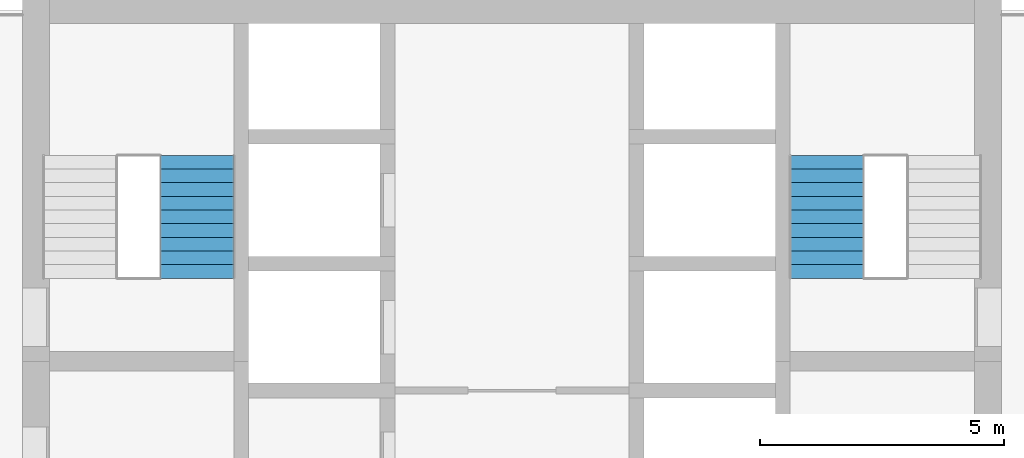
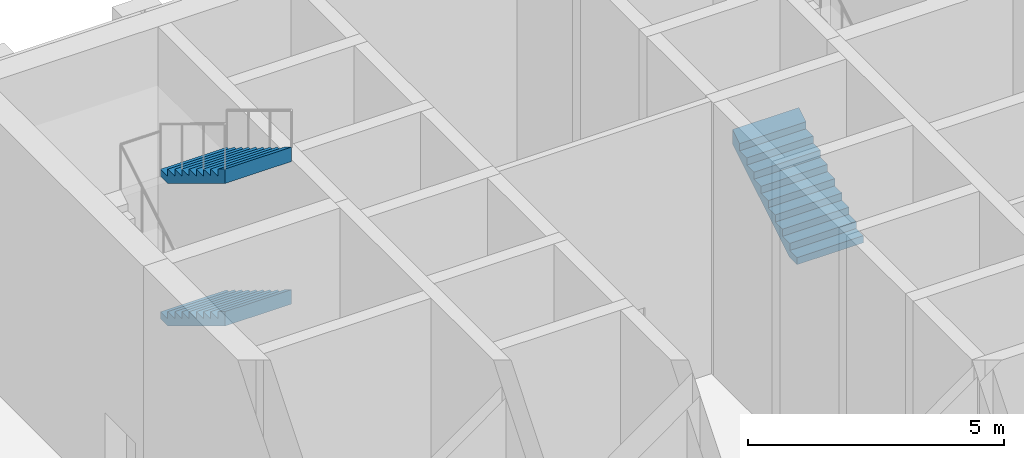
# One storey, part 6 of 10: 3 stair flights, 2 elements without a shape of their own.
"""IFC4 building model written with IfcOpenShell, lengths in metres."""

from ifc_helpers import new_model, si_unit, direction, frame, origin, place, context, subcontext, project, spatial, triangles, material, type_object, element, aggregate, save


model = new_model("IFC4")

# Units and contexts
model_context = context("Model", 3, precision=1e-05, world=origin(), true_north=direction((0.0, 1.0)))
body_context = subcontext(model_context, "Body", "Model", "MODEL_VIEW")
ifc_project = project(units=[si_unit("LENGTHUNIT", "METRE"), si_unit("AREAUNIT", "SQUARE_METRE"), si_unit("VOLUMEUNIT", "CUBIC_METRE"), si_unit("PLANEANGLEUNIT", "RADIAN"), si_unit("MASSUNIT", "GRAM", prefix="KILO")], contexts=[model_context])

# Site, building, storey
site_placement = place(None, origin())
site = spatial("IfcSite", under=ifc_project, at=site_placement, CompositionType="ELEMENT")
building_placement = place(site_placement, origin())
building = spatial("IfcBuilding", under=site, at=building_placement, Name="Ludao Terraces", CompositionType="ELEMENT")
storey_placement = place(building_placement, frame((0.0, 0.0, 172.39990234375)))
storey = spatial("IfcBuildingStorey", under=building, at=storey_placement, Name="L47", CompositionType="ELEMENT", Elevation=172.39990234375)

# Stair, stair flights
ifc_material = material(Name="Concrete C40", Category="concrete")
stair_type = type_object("IfcStairType", Name="INT Stair", PredefinedType="HALF_TURN_STAIR", material=ifc_material)
stair_1_placement = place(storey_placement, origin())
stair_1 = element("IfcStair", 1, at=stair_1_placement, inside=storey, type_object=stair_type, Name="EXIT STAIR 1", PredefinedType="HALF_TURN_STAIR")
stair_flight_type = type_object("IfcStairFlightType", Name="INT Stair flight", PredefinedType="STRAIGHT", material=ifc_material)
stair_flight_1_placement = place(storey_placement, frame((78.550048828125, 81.52001953125, 1.7001953125), z_axis=(0.0, 0.0, 1.0), x_axis=(0.0, -1.0, 0.0)))
stair_flight_1 = element("IfcStairFlight", 2, at=stair_flight_1_placement, type_object=stair_flight_type, Name="ST1 flight 2", NumberOfRisers=10, NumberOfTreads=9, PredefinedType="STRAIGHT", RiserHeight=0.17, TreadLength=0.28, context=body_context, shape_type="Tessellation", body=[
    triangles([(0.0, -0.75, 0.0), (0.0, -0.5, 0.0), (0.0, -0.25, 0.0), (0.0, 0.0, 0.0), (0.0, 0.25, 0.0), (0.0, 0.5, 0.0), (0.0, 0.75, 0.0), (0.0, -0.75, 0.169921875), (0.0, -0.5, 0.169921875), (0.0, -0.25, 0.169921875), (0.0, 0.0, 0.169921875), (0.0, 0.25, 0.169921875), (0.0, 0.5, 0.169921875), (0.0, 0.75, 0.169921875), (0.280029296875, -0.75, 0.169921875), (0.280029296875, -0.5, 0.169921875), (0.280029296875, -0.25, 0.169921875), (0.280029296875, 0.0, 0.169921875), (0.280029296875, 0.25, 0.169921875), (0.280029296875, 0.5, 0.169921875), (0.280029296875, 0.75, 0.169921875), (0.280029296875, -0.75, 0.340087890625), (0.280029296875, -0.5, 0.340087890625), (0.280029296875, -0.25, 0.340087890625), (0.280029296875, 0.0, 0.340087890625), (0.280029296875, 0.25, 0.340087890625), (0.280029296875, 0.5, 0.340087890625), (0.280029296875, 0.75, 0.340087890625), (0.56005859375, -0.75, 0.340087890625), (0.56005859375, -0.5, 0.340087890625), (0.56005859375, -0.25, 0.340087890625), (0.56005859375, 0.0, 0.340087890625), (0.56005859375, 0.25, 0.340087890625), (0.56005859375, 0.5, 0.340087890625), (0.56005859375, 0.75, 0.340087890625), (0.56005859375, -0.75, 0.510009765625), (0.56005859375, -0.5, 0.510009765625), (0.56005859375, -0.25, 0.510009765625), (0.56005859375, 0.0, 0.510009765625), (0.56005859375, 0.25, 0.510009765625), (0.56005859375, 0.5, 0.510009765625), (0.56005859375, 0.75, 0.510009765625), (0.840087890625, -0.75, 0.510009765625), (0.840087890625, -0.5, 0.510009765625), (0.840087890625, -0.25, 0.510009765625), (0.840087890625, 0.0, 0.510009765625), (0.840087890625, 0.25, 0.510009765625), (0.840087890625, 0.5, 0.510009765625), (0.840087890625, 0.75, 0.510009765625), (0.840087890625, -0.75, 0.679931640625), (0.840087890625, -0.5, 0.679931640625), (0.840087890625, -0.25, 0.679931640625), (0.840087890625, 0.0, 0.679931640625), (0.840087890625, 0.25, 0.679931640625), (0.840087890625, 0.5, 0.679931640625), (0.840087890625, 0.75, 0.679931640625), (1.1201171875, -0.75, 0.679931640625), (1.1201171875, -0.5, 0.679931640625), (1.1201171875, -0.25, 0.679931640625), (1.1201171875, 0.0, 0.679931640625), (1.1201171875, 0.25, 0.679931640625), (1.1201171875, 0.5, 0.679931640625), (1.1201171875, 0.75, 0.679931640625), (1.1201171875, -0.75, 0.85009765625), (1.1201171875, -0.5, 0.85009765625), (1.1201171875, -0.25, 0.85009765625), (1.1201171875, 0.0, 0.85009765625), (1.1201171875, 0.25, 0.85009765625), (1.1201171875, 0.5, 0.85009765625), (1.1201171875, 0.75, 0.85009765625), (1.39990234375, -0.75, 0.85009765625), (1.39990234375, -0.5, 0.85009765625), (1.39990234375, -0.25, 0.85009765625), (1.39990234375, 0.0, 0.85009765625), (1.39990234375, 0.25, 0.85009765625), (1.39990234375, 0.5, 0.85009765625), (1.39990234375, 0.75, 0.85009765625), (1.39990234375, -0.75, 1.02001953125), (1.39990234375, -0.5, 1.02001953125), (1.39990234375, -0.25, 1.02001953125), (1.39990234375, 0.0, 1.02001953125), (1.39990234375, 0.25, 1.02001953125), (1.39990234375, 0.5, 1.02001953125), (1.39990234375, 0.75, 1.02001953125), (1.679931640625, -0.75, 1.02001953125), (1.679931640625, -0.5, 1.02001953125), (1.679931640625, -0.25, 1.02001953125), (1.679931640625, 0.0, 1.02001953125), (1.679931640625, 0.25, 1.02001953125), (1.679931640625, 0.5, 1.02001953125), (1.679931640625, 0.75, 1.02001953125), (1.679931640625, -0.75, 1.18994140625), (1.679931640625, -0.5, 1.18994140625), (1.679931640625, -0.25, 1.18994140625), (1.679931640625, 0.0, 1.18994140625), (1.679931640625, 0.25, 1.18994140625), (1.679931640625, 0.5, 1.18994140625), (1.679931640625, 0.75, 1.18994140625), (1.9599609375, -0.75, 1.18994140625), (1.9599609375, -0.5, 1.18994140625), (1.9599609375, -0.25, 1.18994140625), (1.9599609375, 0.0, 1.18994140625), (1.9599609375, 0.25, 1.18994140625), (1.9599609375, 0.5, 1.18994140625), (1.9599609375, 0.75, 1.18994140625), (1.9599609375, -0.75, 1.360107421875), (1.9599609375, -0.5, 1.360107421875), (1.9599609375, -0.25, 1.360107421875), (1.9599609375, 0.0, 1.360107421875), (1.9599609375, 0.25, 1.360107421875), (1.9599609375, 0.5, 1.360107421875), (1.9599609375, 0.75, 1.360107421875), (2.239990234375, -0.75, 1.360107421875), (2.239990234375, -0.5, 1.360107421875), (2.239990234375, -0.25, 1.360107421875), (2.239990234375, 0.0, 1.360107421875), (2.239990234375, 0.25, 1.360107421875), (2.239990234375, 0.5, 1.360107421875), (2.239990234375, 0.75, 1.360107421875), (2.239990234375, -0.75, 1.530029296875), (2.239990234375, -0.5, 1.530029296875), (2.239990234375, -0.25, 1.530029296875), (2.239990234375, 0.0, 1.530029296875), (2.239990234375, 0.25, 1.530029296875), (2.239990234375, 0.5, 1.530029296875), (2.239990234375, 0.75, 1.530029296875), (2.52001953125, -0.75, 1.699951171875), (2.52001953125, -0.5, 1.699951171875), (2.52001953125, -0.25, 1.699951171875), (2.52001953125, 0.0, 1.699951171875), (2.52001953125, 0.25, 1.699951171875), (2.52001953125, 0.5, 1.699951171875), (2.52001953125, 0.75, 1.699951171875), (2.52001953125, -0.75, 1.354736328125), (2.52001953125, -0.5, 1.354736328125), (2.52001953125, -0.25, 1.354736328125), (2.52001953125, 0.0, 1.354736328125), (2.52001953125, 0.25, 1.354736328125), (2.52001953125, 0.5, 1.354736328125), (2.52001953125, 0.75, 1.354736328125), (0.288818359375, -0.75, 0.0), (0.288818359375, -0.5, 0.0), (0.288818359375, -0.25, 0.0), (0.288818359375, 0.0, 0.0), (0.288818359375, 0.25, 0.0), (0.288818359375, 0.5, 0.0), (0.288818359375, 0.75, 0.0)], [[1, 141, 134], [7, 140, 147], [134, 127, 120], [140, 126, 133], [134, 120, 113], [140, 119, 126], [134, 113, 106], [140, 112, 119], [134, 106, 99], [140, 105, 112], [99, 92, 85], [105, 91, 98], [134, 99, 85], [140, 91, 105], [85, 78, 71], [91, 77, 84], [134, 85, 71], [140, 77, 91], [71, 64, 57], [77, 63, 70], [134, 71, 57], [140, 63, 77], [57, 50, 43], [63, 49, 56], [134, 57, 43], [140, 49, 63], [43, 36, 29], [49, 35, 42], [134, 43, 29], [140, 35, 49], [29, 22, 15], [35, 21, 28], [134, 29, 15], [140, 21, 35], [1, 134, 15], [7, 21, 140], [15, 8, 1], [21, 7, 14], [1, 9, 2], [1, 8, 9], [2, 10, 3], [2, 9, 10], [3, 11, 4], [3, 10, 11], [4, 12, 5], [4, 11, 12], [5, 13, 6], [5, 12, 13], [6, 14, 7], [6, 13, 14], [8, 16, 9], [8, 15, 16], [9, 17, 10], [9, 16, 17], [10, 18, 11], [10, 17, 18], [11, 19, 12], [11, 18, 19], [12, 20, 13], [12, 19, 20], [13, 21, 14], [13, 20, 21], [15, 23, 16], [15, 22, 23], [16, 24, 17], [16, 23, 24], [17, 25, 18], [17, 24, 25], [18, 26, 19], [18, 25, 26], [19, 27, 20], [19, 26, 27], [20, 28, 21], [20, 27, 28], [22, 30, 23], [22, 29, 30], [23, 31, 24], [23, 30, 31], [24, 32, 25], [24, 31, 32], [25, 33, 26], [25, 32, 33], [26, 34, 27], [26, 33, 34], [27, 35, 28], [27, 34, 35], [29, 37, 30], [29, 36, 37], [30, 38, 31], [30, 37, 38], [31, 39, 32], [31, 38, 39], [32, 40, 33], [32, 39, 40], [33, 41, 34], [33, 40, 41], [34, 42, 35], [34, 41, 42], [36, 44, 37], [36, 43, 44], [37, 45, 38], [37, 44, 45], [38, 46, 39], [38, 45, 46], [39, 47, 40], [39, 46, 47], [40, 48, 41], [40, 47, 48], [41, 49, 42], [41, 48, 49], [43, 51, 44], [43, 50, 51], [44, 52, 45], [44, 51, 52], [45, 53, 46], [45, 52, 53], [46, 54, 47], [46, 53, 54], [47, 55, 48], [47, 54, 55], [48, 56, 49], [48, 55, 56], [50, 58, 51], [50, 57, 58], [51, 59, 52], [51, 58, 59], [52, 60, 53], [52, 59, 60], [53, 61, 54], [53, 60, 61], [54, 62, 55], [54, 61, 62], [55, 63, 56], [55, 62, 63], [57, 65, 58], [57, 64, 65], [58, 66, 59], [58, 65, 66], [59, 67, 60], [59, 66, 67], [60, 68, 61], [60, 67, 68], [61, 69, 62], [61, 68, 69], [62, 70, 63], [62, 69, 70], [64, 72, 65], [64, 71, 72], [65, 73, 66], [65, 72, 73], [66, 74, 67], [66, 73, 74], [67, 75, 68], [67, 74, 75], [68, 76, 69], [68, 75, 76], [69, 77, 70], [69, 76, 77], [71, 79, 72], [71, 78, 79], [72, 80, 73], [72, 79, 80], [73, 81, 74], [73, 80, 81], [74, 82, 75], [74, 81, 82], [75, 83, 76], [75, 82, 83], [76, 84, 77], [76, 83, 84], [78, 86, 79], [78, 85, 86], [79, 87, 80], [79, 86, 87], [80, 88, 81], [80, 87, 88], [81, 89, 82], [81, 88, 89], [82, 90, 83], [82, 89, 90], [83, 91, 84], [83, 90, 91], [85, 93, 86], [85, 92, 93], [86, 94, 87], [86, 93, 94], [87, 95, 88], [87, 94, 95], [88, 96, 89], [88, 95, 96], [89, 97, 90], [89, 96, 97], [90, 98, 91], [90, 97, 98], [92, 100, 93], [92, 99, 100], [93, 101, 94], [93, 100, 101], [94, 102, 95], [94, 101, 102], [95, 103, 96], [95, 102, 103], [96, 104, 97], [96, 103, 104], [97, 105, 98], [97, 104, 105], [99, 107, 100], [99, 106, 107], [100, 108, 101], [100, 107, 108], [101, 109, 102], [101, 108, 109], [102, 110, 103], [102, 109, 110], [103, 111, 104], [103, 110, 111], [104, 112, 105], [104, 111, 112], [106, 114, 107], [106, 113, 114], [107, 115, 108], [107, 114, 115], [108, 116, 109], [108, 115, 116], [109, 117, 110], [109, 116, 117], [110, 118, 111], [110, 117, 118], [111, 119, 112], [111, 118, 119], [113, 121, 114], [113, 120, 121], [114, 122, 115], [114, 121, 122], [115, 123, 116], [115, 122, 123], [116, 124, 117], [116, 123, 124], [117, 125, 118], [117, 124, 125], [118, 126, 119], [118, 125, 126], [120, 128, 121], [120, 127, 128], [121, 129, 122], [121, 128, 129], [122, 130, 123], [122, 129, 130], [123, 131, 124], [123, 130, 131], [124, 132, 125], [124, 131, 132], [125, 133, 126], [125, 132, 133], [127, 135, 128], [127, 134, 135], [128, 136, 129], [128, 135, 136], [129, 137, 130], [129, 136, 137], [130, 138, 131], [130, 137, 138], [131, 139, 132], [131, 138, 139], [132, 140, 133], [132, 139, 140], [134, 142, 135], [134, 141, 142], [135, 143, 136], [135, 142, 143], [136, 144, 137], [136, 143, 144], [137, 145, 138], [137, 144, 145], [138, 146, 139], [138, 145, 146], [139, 147, 140], [139, 146, 147], [141, 2, 142], [141, 1, 2], [142, 3, 143], [142, 2, 3], [143, 4, 144], [143, 3, 4], [144, 5, 145], [144, 4, 5], [145, 6, 146], [145, 5, 6], [146, 7, 147], [146, 6, 7]], closed=True),
])
stair_flight_2_placement = place(storey_placement, frame((78.550048828125, 81.52001953125, 5.10009765625), z_axis=(0.0, 0.0, 1.0), x_axis=(0.0, -1.0, 0.0)))
stair_flight_2 = element("IfcStairFlight", 3, at=stair_flight_2_placement, type_object=stair_flight_type, Name="ST1 flight 4", NumberOfRisers=10, NumberOfTreads=9, PredefinedType="STRAIGHT", RiserHeight=0.17, TreadLength=0.28, context=body_context, shape_type="Tessellation", body=[
    triangles([(0.0, -0.75, 0.0), (0.0, -0.5, 0.0), (0.0, -0.25, 0.0), (0.0, 0.0, 0.0), (0.0, 0.25, 0.0), (0.0, 0.5, 0.0), (0.0, 0.75, 0.0), (0.0, -0.75, 0.169921875), (0.0, -0.5, 0.169921875), (0.0, -0.25, 0.169921875), (0.0, 0.0, 0.169921875), (0.0, 0.25, 0.169921875), (0.0, 0.5, 0.169921875), (0.0, 0.75, 0.169921875), (0.280029296875, -0.75, 0.169921875), (0.280029296875, -0.5, 0.169921875), (0.280029296875, -0.25, 0.169921875), (0.280029296875, 0.0, 0.169921875), (0.280029296875, 0.25, 0.169921875), (0.280029296875, 0.5, 0.169921875), (0.280029296875, 0.75, 0.169921875), (0.280029296875, -0.75, 0.340087890625), (0.280029296875, -0.5, 0.340087890625), (0.280029296875, -0.25, 0.340087890625), (0.280029296875, 0.0, 0.340087890625), (0.280029296875, 0.25, 0.340087890625), (0.280029296875, 0.5, 0.340087890625), (0.280029296875, 0.75, 0.340087890625), (0.56005859375, -0.75, 0.340087890625), (0.56005859375, -0.5, 0.340087890625), (0.56005859375, -0.25, 0.340087890625), (0.56005859375, 0.0, 0.340087890625), (0.56005859375, 0.25, 0.340087890625), (0.56005859375, 0.5, 0.340087890625), (0.56005859375, 0.75, 0.340087890625), (0.56005859375, -0.75, 0.510009765625), (0.56005859375, -0.5, 0.510009765625), (0.56005859375, -0.25, 0.510009765625), (0.56005859375, 0.0, 0.510009765625), (0.56005859375, 0.25, 0.510009765625), (0.56005859375, 0.5, 0.510009765625), (0.56005859375, 0.75, 0.510009765625), (0.840087890625, -0.75, 0.510009765625), (0.840087890625, -0.5, 0.510009765625), (0.840087890625, -0.25, 0.510009765625), (0.840087890625, 0.0, 0.510009765625), (0.840087890625, 0.25, 0.510009765625), (0.840087890625, 0.5, 0.510009765625), (0.840087890625, 0.75, 0.510009765625), (0.840087890625, -0.75, 0.679931640625), (0.840087890625, -0.5, 0.679931640625), (0.840087890625, -0.25, 0.679931640625), (0.840087890625, 0.0, 0.679931640625), (0.840087890625, 0.25, 0.679931640625), (0.840087890625, 0.5, 0.679931640625), (0.840087890625, 0.75, 0.679931640625), (1.1201171875, -0.75, 0.679931640625), (1.1201171875, -0.5, 0.679931640625), (1.1201171875, -0.25, 0.679931640625), (1.1201171875, 0.0, 0.679931640625), (1.1201171875, 0.25, 0.679931640625), (1.1201171875, 0.5, 0.679931640625), (1.1201171875, 0.75, 0.679931640625), (1.1201171875, -0.75, 0.85009765625), (1.1201171875, -0.5, 0.85009765625), (1.1201171875, -0.25, 0.85009765625), (1.1201171875, 0.0, 0.85009765625), (1.1201171875, 0.25, 0.85009765625), (1.1201171875, 0.5, 0.85009765625), (1.1201171875, 0.75, 0.85009765625), (1.39990234375, -0.75, 0.85009765625), (1.39990234375, -0.5, 0.85009765625), (1.39990234375, -0.25, 0.85009765625), (1.39990234375, 0.0, 0.85009765625), (1.39990234375, 0.25, 0.85009765625), (1.39990234375, 0.5, 0.85009765625), (1.39990234375, 0.75, 0.85009765625), (1.39990234375, -0.75, 1.02001953125), (1.39990234375, -0.5, 1.02001953125), (1.39990234375, -0.25, 1.02001953125), (1.39990234375, 0.0, 1.02001953125), (1.39990234375, 0.25, 1.02001953125), (1.39990234375, 0.5, 1.02001953125), (1.39990234375, 0.75, 1.02001953125), (1.679931640625, -0.75, 1.02001953125), (1.679931640625, -0.5, 1.02001953125), (1.679931640625, -0.25, 1.02001953125), (1.679931640625, 0.0, 1.02001953125), (1.679931640625, 0.25, 1.02001953125), (1.679931640625, 0.5, 1.02001953125), (1.679931640625, 0.75, 1.02001953125), (1.679931640625, -0.75, 1.18994140625), (1.679931640625, -0.5, 1.18994140625), (1.679931640625, -0.25, 1.18994140625), (1.679931640625, 0.0, 1.18994140625), (1.679931640625, 0.25, 1.18994140625), (1.679931640625, 0.5, 1.18994140625), (1.679931640625, 0.75, 1.18994140625), (1.9599609375, -0.75, 1.18994140625), (1.9599609375, -0.5, 1.18994140625), (1.9599609375, -0.25, 1.18994140625), (1.9599609375, 0.0, 1.18994140625), (1.9599609375, 0.25, 1.18994140625), (1.9599609375, 0.5, 1.18994140625), (1.9599609375, 0.75, 1.18994140625), (1.9599609375, -0.75, 1.360107421875), (1.9599609375, -0.5, 1.360107421875), (1.9599609375, -0.25, 1.360107421875), (1.9599609375, 0.0, 1.360107421875), (1.9599609375, 0.25, 1.360107421875), (1.9599609375, 0.5, 1.360107421875), (1.9599609375, 0.75, 1.360107421875), (2.239990234375, -0.75, 1.360107421875), (2.239990234375, -0.5, 1.360107421875), (2.239990234375, -0.25, 1.360107421875), (2.239990234375, 0.0, 1.360107421875), (2.239990234375, 0.25, 1.360107421875), (2.239990234375, 0.5, 1.360107421875), (2.239990234375, 0.75, 1.360107421875), (2.239990234375, -0.75, 1.530029296875), (2.239990234375, -0.5, 1.530029296875), (2.239990234375, -0.25, 1.530029296875), (2.239990234375, 0.0, 1.530029296875), (2.239990234375, 0.25, 1.530029296875), (2.239990234375, 0.5, 1.530029296875), (2.239990234375, 0.75, 1.530029296875), (2.52001953125, -0.75, 1.699951171875), (2.52001953125, -0.5, 1.699951171875), (2.52001953125, -0.25, 1.699951171875), (2.52001953125, 0.0, 1.699951171875), (2.52001953125, 0.25, 1.699951171875), (2.52001953125, 0.5, 1.699951171875), (2.52001953125, 0.75, 1.699951171875), (2.52001953125, -0.75, 1.354736328125), (2.52001953125, -0.5, 1.354736328125), (2.52001953125, -0.25, 1.354736328125), (2.52001953125, 0.0, 1.354736328125), (2.52001953125, 0.25, 1.354736328125), (2.52001953125, 0.5, 1.354736328125), (2.52001953125, 0.75, 1.354736328125), (0.288818359375, -0.75, 0.0), (0.288818359375, -0.5, 0.0), (0.288818359375, -0.25, 0.0), (0.288818359375, 0.0, 0.0), (0.288818359375, 0.25, 0.0), (0.288818359375, 0.5, 0.0), (0.288818359375, 0.75, 0.0)], [[1, 141, 134], [7, 140, 147], [134, 127, 120], [140, 126, 133], [134, 120, 113], [140, 119, 126], [134, 113, 106], [140, 112, 119], [134, 106, 99], [140, 105, 112], [99, 92, 85], [105, 91, 98], [134, 99, 85], [140, 91, 105], [85, 78, 71], [91, 77, 84], [134, 85, 71], [140, 77, 91], [71, 64, 57], [77, 63, 70], [134, 71, 57], [140, 63, 77], [57, 50, 43], [63, 49, 56], [134, 57, 43], [140, 49, 63], [43, 36, 29], [49, 35, 42], [134, 43, 29], [140, 35, 49], [29, 22, 15], [35, 21, 28], [134, 29, 15], [140, 21, 35], [1, 134, 15], [7, 21, 140], [15, 8, 1], [21, 7, 14], [1, 9, 2], [1, 8, 9], [2, 10, 3], [2, 9, 10], [3, 11, 4], [3, 10, 11], [4, 12, 5], [4, 11, 12], [5, 13, 6], [5, 12, 13], [6, 14, 7], [6, 13, 14], [8, 16, 9], [8, 15, 16], [9, 17, 10], [9, 16, 17], [10, 18, 11], [10, 17, 18], [11, 19, 12], [11, 18, 19], [12, 20, 13], [12, 19, 20], [13, 21, 14], [13, 20, 21], [15, 23, 16], [15, 22, 23], [16, 24, 17], [16, 23, 24], [17, 25, 18], [17, 24, 25], [18, 26, 19], [18, 25, 26], [19, 27, 20], [19, 26, 27], [20, 28, 21], [20, 27, 28], [22, 30, 23], [22, 29, 30], [23, 31, 24], [23, 30, 31], [24, 32, 25], [24, 31, 32], [25, 33, 26], [25, 32, 33], [26, 34, 27], [26, 33, 34], [27, 35, 28], [27, 34, 35], [29, 37, 30], [29, 36, 37], [30, 38, 31], [30, 37, 38], [31, 39, 32], [31, 38, 39], [32, 40, 33], [32, 39, 40], [33, 41, 34], [33, 40, 41], [34, 42, 35], [34, 41, 42], [36, 44, 37], [36, 43, 44], [37, 45, 38], [37, 44, 45], [38, 46, 39], [38, 45, 46], [39, 47, 40], [39, 46, 47], [40, 48, 41], [40, 47, 48], [41, 49, 42], [41, 48, 49], [43, 51, 44], [43, 50, 51], [44, 52, 45], [44, 51, 52], [45, 53, 46], [45, 52, 53], [46, 54, 47], [46, 53, 54], [47, 55, 48], [47, 54, 55], [48, 56, 49], [48, 55, 56], [50, 58, 51], [50, 57, 58], [51, 59, 52], [51, 58, 59], [52, 60, 53], [52, 59, 60], [53, 61, 54], [53, 60, 61], [54, 62, 55], [54, 61, 62], [55, 63, 56], [55, 62, 63], [57, 65, 58], [57, 64, 65], [58, 66, 59], [58, 65, 66], [59, 67, 60], [59, 66, 67], [60, 68, 61], [60, 67, 68], [61, 69, 62], [61, 68, 69], [62, 70, 63], [62, 69, 70], [64, 72, 65], [64, 71, 72], [65, 73, 66], [65, 72, 73], [66, 74, 67], [66, 73, 74], [67, 75, 68], [67, 74, 75], [68, 76, 69], [68, 75, 76], [69, 77, 70], [69, 76, 77], [71, 79, 72], [71, 78, 79], [72, 80, 73], [72, 79, 80], [73, 81, 74], [73, 80, 81], [74, 82, 75], [74, 81, 82], [75, 83, 76], [75, 82, 83], [76, 84, 77], [76, 83, 84], [78, 86, 79], [78, 85, 86], [79, 87, 80], [79, 86, 87], [80, 88, 81], [80, 87, 88], [81, 89, 82], [81, 88, 89], [82, 90, 83], [82, 89, 90], [83, 91, 84], [83, 90, 91], [85, 93, 86], [85, 92, 93], [86, 94, 87], [86, 93, 94], [87, 95, 88], [87, 94, 95], [88, 96, 89], [88, 95, 96], [89, 97, 90], [89, 96, 97], [90, 98, 91], [90, 97, 98], [92, 100, 93], [92, 99, 100], [93, 101, 94], [93, 100, 101], [94, 102, 95], [94, 101, 102], [95, 103, 96], [95, 102, 103], [96, 104, 97], [96, 103, 104], [97, 105, 98], [97, 104, 105], [99, 107, 100], [99, 106, 107], [100, 108, 101], [100, 107, 108], [101, 109, 102], [101, 108, 109], [102, 110, 103], [102, 109, 110], [103, 111, 104], [103, 110, 111], [104, 112, 105], [104, 111, 112], [106, 114, 107], [106, 113, 114], [107, 115, 108], [107, 114, 115], [108, 116, 109], [108, 115, 116], [109, 117, 110], [109, 116, 117], [110, 118, 111], [110, 117, 118], [111, 119, 112], [111, 118, 119], [113, 121, 114], [113, 120, 121], [114, 122, 115], [114, 121, 122], [115, 123, 116], [115, 122, 123], [116, 124, 117], [116, 123, 124], [117, 125, 118], [117, 124, 125], [118, 126, 119], [118, 125, 126], [120, 128, 121], [120, 127, 128], [121, 129, 122], [121, 128, 129], [122, 130, 123], [122, 129, 130], [123, 131, 124], [123, 130, 131], [124, 132, 125], [124, 131, 132], [125, 133, 126], [125, 132, 133], [127, 135, 128], [127, 134, 135], [128, 136, 129], [128, 135, 136], [129, 137, 130], [129, 136, 137], [130, 138, 131], [130, 137, 138], [131, 139, 132], [131, 138, 139], [132, 140, 133], [132, 139, 140], [134, 142, 135], [134, 141, 142], [135, 143, 136], [135, 142, 143], [136, 144, 137], [136, 143, 144], [137, 145, 138], [137, 144, 145], [138, 146, 139], [138, 145, 146], [139, 147, 140], [139, 146, 147], [141, 2, 142], [141, 1, 2], [142, 3, 143], [142, 2, 3], [143, 4, 144], [143, 3, 4], [144, 5, 145], [144, 4, 5], [145, 6, 146], [145, 5, 6], [146, 7, 147], [146, 6, 7]], closed=True),
])
aggregate(stair_1, [stair_flight_1, stair_flight_2])

# Stair, stair flight
stair_2_placement = place(storey_placement, origin())
stair_2 = element("IfcStair", 4, at=stair_2_placement, inside=storey, type_object=stair_type, Name="EXIT STAIR 2", PredefinedType="HALF_TURN_STAIR")
stair_flight_3_placement = place(storey_placement, frame((91.449951171875, 79.0, 0.0), z_axis=(0.0, 0.0, 1.0), x_axis=(0.0, 1.0, 0.0)))
stair_flight_3 = element("IfcStairFlight", 5, at=stair_flight_3_placement, type_object=stair_flight_type, Name="ST2 flight 1", NumberOfRisers=10, NumberOfTreads=9, PredefinedType="STRAIGHT", RiserHeight=0.17, TreadLength=0.28, context=body_context, shape_type="Tessellation", body=[
    triangles([(0.0, -0.75, 0.0), (0.0, -0.5, 0.0), (0.0, -0.25, 0.0), (0.0, 0.0, 0.0), (0.0, 0.25, 0.0), (0.0, 0.5, 0.0), (0.0, 0.75, 0.0), (0.0, -0.75, 0.169921875), (0.0, -0.5, 0.169921875), (0.0, -0.25, 0.169921875), (0.0, 0.0, 0.169921875), (0.0, 0.25, 0.169921875), (0.0, 0.5, 0.169921875), (0.0, 0.75, 0.169921875), (0.280029296875, -0.75, 0.169921875), (0.280029296875, -0.5, 0.169921875), (0.280029296875, -0.25, 0.169921875), (0.280029296875, 0.0, 0.169921875), (0.280029296875, 0.25, 0.169921875), (0.280029296875, 0.5, 0.169921875), (0.280029296875, 0.75, 0.169921875), (0.280029296875, -0.75, 0.340087890625), (0.280029296875, -0.5, 0.340087890625), (0.280029296875, -0.25, 0.340087890625), (0.280029296875, 0.0, 0.340087890625), (0.280029296875, 0.25, 0.340087890625), (0.280029296875, 0.5, 0.340087890625), (0.280029296875, 0.75, 0.340087890625), (0.56005859375, -0.75, 0.340087890625), (0.56005859375, -0.5, 0.340087890625), (0.56005859375, -0.25, 0.340087890625), (0.56005859375, 0.0, 0.340087890625), (0.56005859375, 0.25, 0.340087890625), (0.56005859375, 0.5, 0.340087890625), (0.56005859375, 0.75, 0.340087890625), (0.56005859375, -0.75, 0.510009765625), (0.56005859375, -0.5, 0.510009765625), (0.56005859375, -0.25, 0.510009765625), (0.56005859375, 0.0, 0.510009765625), (0.56005859375, 0.25, 0.510009765625), (0.56005859375, 0.5, 0.510009765625), (0.56005859375, 0.75, 0.510009765625), (0.840087890625, -0.75, 0.510009765625), (0.840087890625, -0.5, 0.510009765625), (0.840087890625, -0.25, 0.510009765625), (0.840087890625, 0.0, 0.510009765625), (0.840087890625, 0.25, 0.510009765625), (0.840087890625, 0.5, 0.510009765625), (0.840087890625, 0.75, 0.510009765625), (0.840087890625, -0.75, 0.679931640625), (0.840087890625, -0.5, 0.679931640625), (0.840087890625, -0.25, 0.679931640625), (0.840087890625, 0.0, 0.679931640625), (0.840087890625, 0.25, 0.679931640625), (0.840087890625, 0.5, 0.679931640625), (0.840087890625, 0.75, 0.679931640625), (1.1201171875, -0.75, 0.679931640625), (1.1201171875, -0.5, 0.679931640625), (1.1201171875, -0.25, 0.679931640625), (1.1201171875, 0.0, 0.679931640625), (1.1201171875, 0.25, 0.679931640625), (1.1201171875, 0.5, 0.679931640625), (1.1201171875, 0.75, 0.679931640625), (1.1201171875, -0.75, 0.85009765625), (1.1201171875, -0.5, 0.85009765625), (1.1201171875, -0.25, 0.85009765625), (1.1201171875, 0.0, 0.85009765625), (1.1201171875, 0.25, 0.85009765625), (1.1201171875, 0.5, 0.85009765625), (1.1201171875, 0.75, 0.85009765625), (1.39990234375, -0.75, 0.85009765625), (1.39990234375, -0.5, 0.85009765625), (1.39990234375, -0.25, 0.85009765625), (1.39990234375, 0.0, 0.85009765625), (1.39990234375, 0.25, 0.85009765625), (1.39990234375, 0.5, 0.85009765625), (1.39990234375, 0.75, 0.85009765625), (1.39990234375, -0.75, 1.02001953125), (1.39990234375, -0.5, 1.02001953125), (1.39990234375, -0.25, 1.02001953125), (1.39990234375, 0.0, 1.02001953125), (1.39990234375, 0.25, 1.02001953125), (1.39990234375, 0.5, 1.02001953125), (1.39990234375, 0.75, 1.02001953125), (1.679931640625, -0.75, 1.02001953125), (1.679931640625, -0.5, 1.02001953125), (1.679931640625, -0.25, 1.02001953125), (1.679931640625, 0.0, 1.02001953125), (1.679931640625, 0.25, 1.02001953125), (1.679931640625, 0.5, 1.02001953125), (1.679931640625, 0.75, 1.02001953125), (1.679931640625, -0.75, 1.18994140625), (1.679931640625, -0.5, 1.18994140625), (1.679931640625, -0.25, 1.18994140625), (1.679931640625, 0.0, 1.18994140625), (1.679931640625, 0.25, 1.18994140625), (1.679931640625, 0.5, 1.18994140625), (1.679931640625, 0.75, 1.18994140625), (1.9599609375, -0.75, 1.18994140625), (1.9599609375, -0.5, 1.18994140625), (1.9599609375, -0.25, 1.18994140625), (1.9599609375, 0.0, 1.18994140625), (1.9599609375, 0.25, 1.18994140625), (1.9599609375, 0.5, 1.18994140625), (1.9599609375, 0.75, 1.18994140625), (1.9599609375, -0.75, 1.360107421875), (1.9599609375, -0.5, 1.360107421875), (1.9599609375, -0.25, 1.360107421875), (1.9599609375, 0.0, 1.360107421875), (1.9599609375, 0.25, 1.360107421875), (1.9599609375, 0.5, 1.360107421875), (1.9599609375, 0.75, 1.360107421875), (2.239990234375, -0.75, 1.360107421875), (2.239990234375, -0.5, 1.360107421875), (2.239990234375, -0.25, 1.360107421875), (2.239990234375, 0.0, 1.360107421875), (2.239990234375, 0.25, 1.360107421875), (2.239990234375, 0.5, 1.360107421875), (2.239990234375, 0.75, 1.360107421875), (2.239990234375, -0.75, 1.530029296875), (2.239990234375, -0.5, 1.530029296875), (2.239990234375, -0.25, 1.530029296875), (2.239990234375, 0.0, 1.530029296875), (2.239990234375, 0.25, 1.530029296875), (2.239990234375, 0.5, 1.530029296875), (2.239990234375, 0.75, 1.530029296875), (2.52001953125, -0.75, 1.699951171875), (2.52001953125, -0.5, 1.699951171875), (2.52001953125, -0.25, 1.699951171875), (2.52001953125, 0.0, 1.699951171875), (2.52001953125, 0.25, 1.699951171875), (2.52001953125, 0.5, 1.699951171875), (2.52001953125, 0.75, 1.699951171875), (2.52001953125, -0.75, 1.354736328125), (2.52001953125, -0.5, 1.354736328125), (2.52001953125, -0.25, 1.354736328125), (2.52001953125, 0.0, 1.354736328125), (2.52001953125, 0.25, 1.354736328125), (2.52001953125, 0.5, 1.354736328125), (2.52001953125, 0.75, 1.354736328125), (0.288818359375, -0.75, 0.0), (0.288818359375, -0.5, 0.0), (0.288818359375, -0.25, 0.0), (0.288818359375, 0.0, 0.0), (0.288818359375, 0.25, 0.0), (0.288818359375, 0.5, 0.0), (0.288818359375, 0.75, 0.0)], [[1, 141, 134], [7, 140, 147], [134, 127, 120], [140, 126, 133], [134, 120, 113], [140, 119, 126], [134, 113, 106], [140, 112, 119], [134, 106, 99], [140, 105, 112], [99, 92, 85], [105, 91, 98], [134, 99, 85], [140, 91, 105], [85, 78, 71], [91, 77, 84], [134, 85, 71], [140, 77, 91], [71, 64, 57], [77, 63, 70], [134, 71, 57], [140, 63, 77], [57, 50, 43], [63, 49, 56], [134, 57, 43], [140, 49, 63], [43, 36, 29], [49, 35, 42], [134, 43, 29], [140, 35, 49], [29, 22, 15], [35, 21, 28], [134, 29, 15], [140, 21, 35], [1, 134, 15], [7, 21, 140], [15, 8, 1], [21, 7, 14], [1, 9, 2], [1, 8, 9], [2, 10, 3], [2, 9, 10], [3, 11, 4], [3, 10, 11], [4, 12, 5], [4, 11, 12], [5, 13, 6], [5, 12, 13], [6, 14, 7], [6, 13, 14], [8, 16, 9], [8, 15, 16], [9, 17, 10], [9, 16, 17], [10, 18, 11], [10, 17, 18], [11, 19, 12], [11, 18, 19], [12, 20, 13], [12, 19, 20], [13, 21, 14], [13, 20, 21], [15, 23, 16], [15, 22, 23], [16, 24, 17], [16, 23, 24], [17, 25, 18], [17, 24, 25], [18, 26, 19], [18, 25, 26], [19, 27, 20], [19, 26, 27], [20, 28, 21], [20, 27, 28], [22, 30, 23], [22, 29, 30], [23, 31, 24], [23, 30, 31], [24, 32, 25], [24, 31, 32], [25, 33, 26], [25, 32, 33], [26, 34, 27], [26, 33, 34], [27, 35, 28], [27, 34, 35], [29, 37, 30], [29, 36, 37], [30, 38, 31], [30, 37, 38], [31, 39, 32], [31, 38, 39], [32, 40, 33], [32, 39, 40], [33, 41, 34], [33, 40, 41], [34, 42, 35], [34, 41, 42], [36, 44, 37], [36, 43, 44], [37, 45, 38], [37, 44, 45], [38, 46, 39], [38, 45, 46], [39, 47, 40], [39, 46, 47], [40, 48, 41], [40, 47, 48], [41, 49, 42], [41, 48, 49], [43, 51, 44], [43, 50, 51], [44, 52, 45], [44, 51, 52], [45, 53, 46], [45, 52, 53], [46, 54, 47], [46, 53, 54], [47, 55, 48], [47, 54, 55], [48, 56, 49], [48, 55, 56], [50, 58, 51], [50, 57, 58], [51, 59, 52], [51, 58, 59], [52, 60, 53], [52, 59, 60], [53, 61, 54], [53, 60, 61], [54, 62, 55], [54, 61, 62], [55, 63, 56], [55, 62, 63], [57, 65, 58], [57, 64, 65], [58, 66, 59], [58, 65, 66], [59, 67, 60], [59, 66, 67], [60, 68, 61], [60, 67, 68], [61, 69, 62], [61, 68, 69], [62, 70, 63], [62, 69, 70], [64, 72, 65], [64, 71, 72], [65, 73, 66], [65, 72, 73], [66, 74, 67], [66, 73, 74], [67, 75, 68], [67, 74, 75], [68, 76, 69], [68, 75, 76], [69, 77, 70], [69, 76, 77], [71, 79, 72], [71, 78, 79], [72, 80, 73], [72, 79, 80], [73, 81, 74], [73, 80, 81], [74, 82, 75], [74, 81, 82], [75, 83, 76], [75, 82, 83], [76, 84, 77], [76, 83, 84], [78, 86, 79], [78, 85, 86], [79, 87, 80], [79, 86, 87], [80, 88, 81], [80, 87, 88], [81, 89, 82], [81, 88, 89], [82, 90, 83], [82, 89, 90], [83, 91, 84], [83, 90, 91], [85, 93, 86], [85, 92, 93], [86, 94, 87], [86, 93, 94], [87, 95, 88], [87, 94, 95], [88, 96, 89], [88, 95, 96], [89, 97, 90], [89, 96, 97], [90, 98, 91], [90, 97, 98], [92, 100, 93], [92, 99, 100], [93, 101, 94], [93, 100, 101], [94, 102, 95], [94, 101, 102], [95, 103, 96], [95, 102, 103], [96, 104, 97], [96, 103, 104], [97, 105, 98], [97, 104, 105], [99, 107, 100], [99, 106, 107], [100, 108, 101], [100, 107, 108], [101, 109, 102], [101, 108, 109], [102, 110, 103], [102, 109, 110], [103, 111, 104], [103, 110, 111], [104, 112, 105], [104, 111, 112], [106, 114, 107], [106, 113, 114], [107, 115, 108], [107, 114, 115], [108, 116, 109], [108, 115, 116], [109, 117, 110], [109, 116, 117], [110, 118, 111], [110, 117, 118], [111, 119, 112], [111, 118, 119], [113, 121, 114], [113, 120, 121], [114, 122, 115], [114, 121, 122], [115, 123, 116], [115, 122, 123], [116, 124, 117], [116, 123, 124], [117, 125, 118], [117, 124, 125], [118, 126, 119], [118, 125, 126], [120, 128, 121], [120, 127, 128], [121, 129, 122], [121, 128, 129], [122, 130, 123], [122, 129, 130], [123, 131, 124], [123, 130, 131], [124, 132, 125], [124, 131, 132], [125, 133, 126], [125, 132, 133], [127, 135, 128], [127, 134, 135], [128, 136, 129], [128, 135, 136], [129, 137, 130], [129, 136, 137], [130, 138, 131], [130, 137, 138], [131, 139, 132], [131, 138, 139], [132, 140, 133], [132, 139, 140], [134, 142, 135], [134, 141, 142], [135, 143, 136], [135, 142, 143], [136, 144, 137], [136, 143, 144], [137, 145, 138], [137, 144, 145], [138, 146, 139], [138, 145, 146], [139, 147, 140], [139, 146, 147], [141, 2, 142], [141, 1, 2], [142, 3, 143], [142, 2, 3], [143, 4, 144], [143, 3, 4], [144, 5, 145], [144, 4, 5], [145, 6, 146], [145, 5, 6], [146, 7, 147], [146, 6, 7]], closed=True),
])
aggregate(stair_2, [stair_flight_3])

save(model, "model.ifc")
